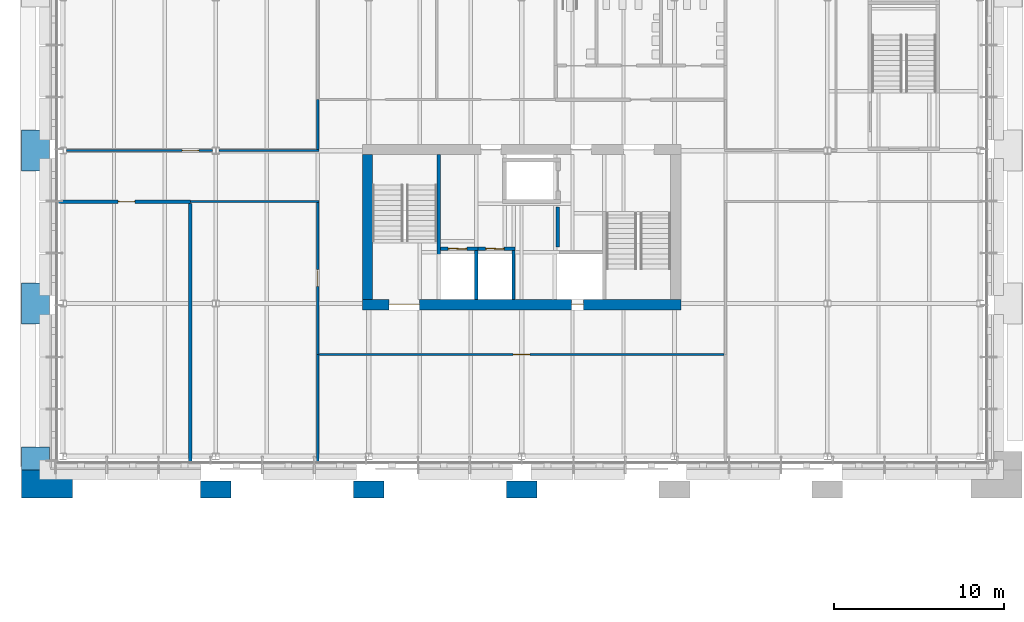
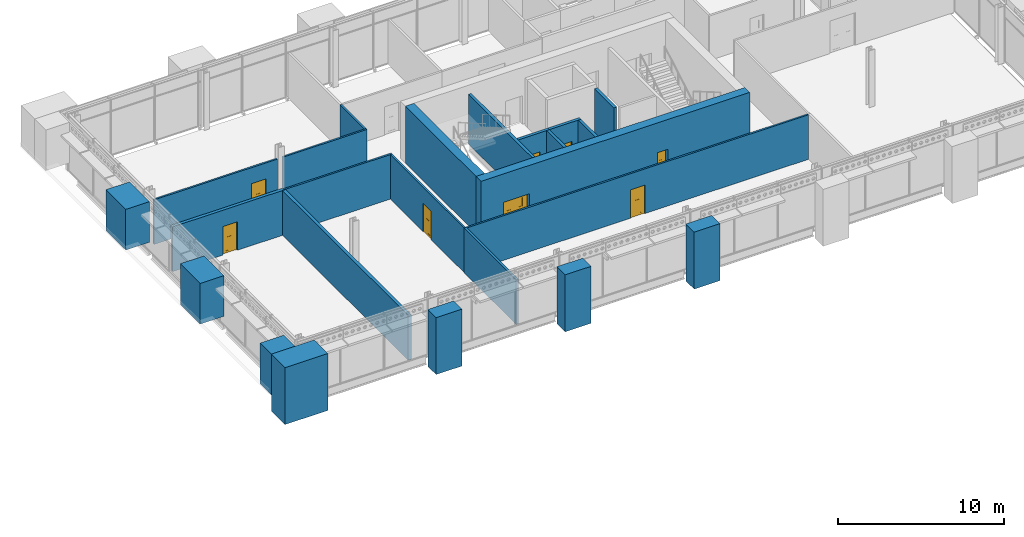
# One storey, part 107 of 153: 24 walls, 8 doors, 8 openings.
"""IFC4 building model written with IfcOpenShell, lengths in metres."""

from ifc_helpers import new_model, si_unit, direction, frame, frame_2d, origin, place, context, subcontext, project, spatial, polyline, rectangle, outline, extrude, material, layer, layer_set, type_object, element, fill, save


model = new_model("IFC4")

# Units and contexts
model_context = context("Model", 3, precision=1e-05, world=origin(), true_north=direction((0.0, 1.0)))
body_context = subcontext(model_context, "Body", "Model", "MODEL_VIEW")
ifc_project = project(units=[si_unit("LENGTHUNIT", "METRE"), si_unit("AREAUNIT", "SQUARE_METRE"), si_unit("VOLUMEUNIT", "CUBIC_METRE"), si_unit("PLANEANGLEUNIT", "RADIAN"), si_unit("MASSUNIT", "GRAM", prefix="KILO")], contexts=[model_context])

# Site, building, storey
site_placement = place(None, origin())
site = spatial("IfcSite", under=ifc_project, at=site_placement, CompositionType="ELEMENT")
building_placement = place(site_placement, origin())
building = spatial("IfcBuilding", under=site, at=building_placement, Name="Baradari Gate Terminus", CompositionType="ELEMENT")
storey_placement = place(building_placement, frame((0.0, 0.0, 11.699951171875)))
storey = spatial("IfcBuildingStorey", under=building, at=storey_placement, Name="L02", CompositionType="ELEMENT", Elevation=11.699951171875)

# Wall, opening, door
ifc_material_1 = material(Name="Gypsum board")
ifc_layer_1 = layer(ifc_material_1, 0.125)
ifc_layer_set_1 = layer_set([ifc_layer_1], Name="Gypsum board")
wall_type_1 = type_object("IfcWallType", Name="Corridor partition PT-5 125 EI 30", PredefinedType="PARTITIONING", material=ifc_layer_set_1)
wall_1_placement = place(storey_placement, frame((47.925048828125, 123.0, 0.0), z_axis=(0.0, 0.0, 1.0), x_axis=(-1.0, 0.0, 0.0)))
wall_1 = element("IfcWall", 1, at=wall_1_placement, inside=storey, type_object=wall_type_1, Name="PT-5 partition Corridor / Control Floor Gallery", PredefinedType="PARTITIONING", context=body_context, shape_type="SweptSolid", body=[
    extrude(rectangle(XDim=23.85009765625, YDim=0.125, at=frame_2d((11.925048828125, 0.0))), origin(), (0.0, 0.0, 1.0), 3.287109375),
])
opening_1_placement = place(wall_1_placement, frame((11.425048828125, 0.0, 0.0)))
opening_1 = element("IfcOpeningElement", 2, at=opening_1_placement, cuts=wall_1, Name="Opening D02-025", PredefinedType="OPENING", context=body_context, shape_type="SweptSolid", body=[
    extrude(rectangle(XDim=1.0, YDim=2.10009765625, at=frame_2d((0.5, 1.050048828125))), frame((0.0, 0.072509765625, 0.0), z_axis=(0.0, -1.0, 0.0), x_axis=(1.0, 0.0, 0.0)), (0.0, 0.0, 1.0), 0.14501953125),
])
ifc_material_2 = material(Name="Steel S275", Category="steel")
door_type_1 = type_object("IfcDoorType", Name="Fire door FI-1000-FD30S 1000x2100 FD30S", OperationType="SINGLE_SWING_LEFT", PredefinedType="DOOR", material=ifc_material_2)
door_1_placement = place(opening_1_placement, origin())
door_1 = element("IfcDoor", 3, at=door_1_placement, inside=storey, type_object=door_type_1, Name="Door Control Floor Gallery", OperationType="SINGLE_SWING_LEFT", OverallHeight=2.1, OverallWidth=1.0, PredefinedType="DOOR", context=body_context, shape_type="SweptSolid", body=[
    extrude(outline(polyline([(0.0, 0.0), (0.070068359375, 0.0), (0.070068359375, 2.030029296875), (0.929931640625, 2.030029296875), (0.929931640625, 0.0), (1.0, 0.0), (1.0, 2.10009765625), (0.0, 2.10009765625), (0.0, 0.0)])), frame((0.0, 0.02490234375, 0.0), z_axis=(0.0, -1.0, 0.0), x_axis=(1.0, 0.0, 0.0)), (0.0, 0.0, 1.0), 0.050048828125),
    extrude(outline(polyline([(0.073974609375, 0.010009765625), (0.926025390625, 0.010009765625), (0.926025390625, 2.026123046875), (0.073974609375, 2.026123046875), (0.073974609375, 0.010009765625)]), holes=[polyline([(0.194091796875, 0.159912109375), (0.805908203125, 0.159912109375), (0.805908203125, 1.010009765625), (0.194091796875, 1.010009765625), (0.194091796875, 0.159912109375)]), polyline([(0.35009765625, 1.159912109375), (0.64990234375, 1.159912109375), (0.64990234375, 1.760009765625), (0.35009765625, 1.760009765625), (0.35009765625, 1.159912109375)])]), frame((0.0, 0.017333984375, 0.0), z_axis=(0.0, -1.0, 0.0), x_axis=(1.0, 0.0, 0.0)), (0.0, 0.0, 1.0), 0.034912109375),
    extrude(rectangle(XDim=0.61181640625, YDim=0.85009765625, at=frame_2d((0.5, 0.5849609375))), frame((0.0, 0.008544921875, 0.0), z_axis=(0.0, -1.0, 0.0), x_axis=(1.0, 0.0, 0.0)), (0.0, 0.0, 1.0), 0.017333984375),
    extrude(rectangle(XDim=0.2998046875, YDim=0.60009765625, at=frame_2d((0.5, 1.4599609375))), frame((0.0, 0.005859375, 0.0), z_axis=(0.0, -1.0, 0.0), x_axis=(1.0, 0.0, 0.0)), (0.0, 0.0, 1.0), 0.011962890625),
])
fill(opening_1, door_1)

wall_2_placement = place(storey_placement, frame((24.0, 123.0, 0.0), z_axis=(0.0, 0.0, 1.0), x_axis=(0.0, 1.0, 0.0)))
wall_2 = element("IfcWall", 4, at=wall_2_placement, inside=storey, type_object=wall_type_1, Name="PT-5 partition Corridor / Dispatch Office", PredefinedType="PARTITIONING", context=body_context, shape_type="SweptSolid", body=[
    extrude(rectangle(XDim=8.9375, YDim=0.125, at=frame_2d((4.46875, 0.0))), origin(), (0.0, 0.0, 1.0), 3.287109375),
])
opening_2_placement = place(wall_2_placement, frame((4.0, 0.0, 0.0)))
opening_2 = element("IfcOpeningElement", 5, at=opening_2_placement, cuts=wall_2, Name="Opening D02-021", PredefinedType="OPENING", context=body_context, shape_type="SweptSolid", body=[
    extrude(rectangle(XDim=1.0, YDim=2.10009765625, at=frame_2d((0.5, 1.050048828125))), frame((0.0, 0.072509765625, 0.0), z_axis=(0.0, -1.0, 0.0), x_axis=(1.0, 0.0, 0.0)), (0.0, 0.0, 1.0), 0.14501953125),
])
door_2_placement = place(opening_2_placement, origin())
door_2 = element("IfcDoor", 6, at=door_2_placement, inside=storey, type_object=door_type_1, Name="Door Dispatch Office", OperationType="SINGLE_SWING_RIGHT", OverallHeight=2.1, OverallWidth=1.0, PredefinedType="DOOR", context=body_context, shape_type="SweptSolid", body=[
    extrude(outline(polyline([(0.0, 0.0), (0.070068359375, 0.0), (0.070068359375, 2.030029296875), (0.929931640625, 2.030029296875), (0.929931640625, 0.0), (1.0, 0.0), (1.0, 2.10009765625), (0.0, 2.10009765625), (0.0, 0.0)])), frame((0.0, 0.02490234375, 0.0), z_axis=(0.0, -1.0, 0.0), x_axis=(1.0, 0.0, 0.0)), (0.0, 0.0, 1.0), 0.050048828125),
    extrude(outline(polyline([(0.073974609375, 0.010009765625), (0.926025390625, 0.010009765625), (0.926025390625, 2.026123046875), (0.073974609375, 2.026123046875), (0.073974609375, 0.010009765625)]), holes=[polyline([(0.194091796875, 0.159912109375), (0.805908203125, 0.159912109375), (0.805908203125, 1.010009765625), (0.194091796875, 1.010009765625), (0.194091796875, 0.159912109375)]), polyline([(0.35009765625, 1.159912109375), (0.64990234375, 1.159912109375), (0.64990234375, 1.760009765625), (0.35009765625, 1.760009765625), (0.35009765625, 1.159912109375)])]), frame((0.0, 0.017333984375, 0.0), z_axis=(0.0, -1.0, 0.0), x_axis=(1.0, 0.0, 0.0)), (0.0, 0.0, 1.0), 0.034912109375),
    extrude(rectangle(XDim=0.61181640625, YDim=0.85009765625, at=frame_2d((0.5, 0.5849609375))), frame((0.0, 0.008544921875, 0.0), z_axis=(0.0, -1.0, 0.0), x_axis=(1.0, 0.0, 0.0)), (0.0, 0.0, 1.0), 0.017333984375),
    extrude(rectangle(XDim=0.2998046875, YDim=0.60009765625, at=frame_2d((0.5, 1.4599609375))), frame((0.0, 0.005859375, 0.0), z_axis=(0.0, -1.0, 0.0), x_axis=(1.0, 0.0, 0.0)), (0.0, 0.0, 1.0), 0.011962890625),
])
fill(opening_2, door_2)

# Wall
wall_3_placement = place(storey_placement, frame((24.0625, 132.0, 0.0), z_axis=(0.0, 0.0, 1.0), x_axis=(-1.0, 0.0, 0.0)))
element("IfcWall", 7, at=wall_3_placement, inside=storey, type_object=wall_type_1, Name="PT-5 partition Corridor / Dispatch Office", PredefinedType="PARTITIONING", context=body_context, shape_type="SweptSolid", body=[
    extrude(rectangle(XDim=7.5625, YDim=0.125, at=frame_2d((3.78125, 0.0))), origin(), (0.0, 0.0, 1.0), 3.287109375),
])

# Wall, opening, door
wall_4_placement = place(storey_placement, frame((9.197509765625, 135.0, 0.0), z_axis=(0.0, 0.0, 1.0), x_axis=(1.0, 0.0, 0.0)))
wall_4 = element("IfcWall", 8, at=wall_4_placement, inside=storey, type_object=wall_type_1, Name="PT-5 partition Corridor / Operations Control Room", PredefinedType="PARTITIONING", context=body_context, shape_type="SweptSolid", body=[
    extrude(rectangle(XDim=8.60107421875, YDim=0.125, at=frame_2d((4.300537109375, 0.0))), origin(), (0.0, 0.0, 1.0), 3.287109375),
])
opening_3_placement = place(wall_4_placement, frame((6.802490234375, 0.0, 0.0)))
opening_3 = element("IfcOpeningElement", 9, at=opening_3_placement, cuts=wall_4, Name="Opening D02-019", PredefinedType="OPENING", context=body_context, shape_type="SweptSolid", body=[
    extrude(rectangle(XDim=1.0, YDim=2.10009765625, at=frame_2d((0.5, 1.050048828125))), frame((0.0, 0.072509765625, 0.0), z_axis=(0.0, -1.0, 0.0), x_axis=(1.0, 0.0, 0.0)), (0.0, 0.0, 1.0), 0.14501953125),
])
door_3_placement = place(opening_3_placement, origin())
door_3 = element("IfcDoor", 10, at=door_3_placement, inside=storey, type_object=door_type_1, Name="Door Operations Control Room", OperationType="SINGLE_SWING_RIGHT", OverallHeight=2.1, OverallWidth=1.0, PredefinedType="DOOR", context=body_context, shape_type="SweptSolid", body=[
    extrude(outline(polyline([(0.0, 0.0), (0.070068359375, 0.0), (0.070068359375, 2.030029296875), (0.929931640625, 2.030029296875), (0.929931640625, 0.0), (1.0, 0.0), (1.0, 2.10009765625), (0.0, 2.10009765625), (0.0, 0.0)])), frame((0.0, 0.02490234375, 0.0), z_axis=(0.0, -1.0, 0.0), x_axis=(1.0, 0.0, 0.0)), (0.0, 0.0, 1.0), 0.050048828125),
    extrude(outline(polyline([(0.073974609375, 0.010009765625), (0.926025390625, 0.010009765625), (0.926025390625, 2.026123046875), (0.073974609375, 2.026123046875), (0.073974609375, 0.010009765625)]), holes=[polyline([(0.194091796875, 0.159912109375), (0.805908203125, 0.159912109375), (0.805908203125, 1.010009765625), (0.194091796875, 1.010009765625), (0.194091796875, 0.159912109375)]), polyline([(0.35009765625, 1.159912109375), (0.64990234375, 1.159912109375), (0.64990234375, 1.760009765625), (0.35009765625, 1.760009765625), (0.35009765625, 1.159912109375)])]), frame((0.0, 0.017333984375, 0.0), z_axis=(0.0, -1.0, 0.0), x_axis=(1.0, 0.0, 0.0)), (0.0, 0.0, 1.0), 0.034912109375),
    extrude(rectangle(XDim=0.61181640625, YDim=0.85009765625, at=frame_2d((0.5, 0.5849609375))), frame((0.0, 0.008544921875, 0.0), z_axis=(0.0, -1.0, 0.0), x_axis=(1.0, 0.0, 0.0)), (0.0, 0.0, 1.0), 0.017333984375),
    extrude(rectangle(XDim=0.2998046875, YDim=0.60009765625, at=frame_2d((0.5, 1.4599609375))), frame((0.0, 0.005859375, 0.0), z_axis=(0.0, -1.0, 0.0), x_axis=(1.0, 0.0, 0.0)), (0.0, 0.0, 1.0), 0.011962890625),
])
fill(opening_3, door_3)

# Walls
wall_5_placement = place(storey_placement, frame((18.201416015625, 135.0, 0.0), z_axis=(0.0, 0.0, 1.0), x_axis=(1.0, 0.0, 0.0)))
element("IfcWall", 11, at=wall_5_placement, inside=storey, type_object=wall_type_1, Name="PT-5 partition Corridor / Operations Control Room", PredefinedType="PARTITIONING", context=body_context, shape_type="SweptSolid", body=[
    extrude(rectangle(XDim=5.861083984375, YDim=0.125, at=frame_2d((2.9306640625, 0.0))), origin(), (0.0, 0.0, 1.0), 3.287109375),
])
wall_6_placement = place(storey_placement, frame((24.0, 135.0625, 0.0), z_axis=(0.0, 0.0, 1.0), x_axis=(0.0, 1.0, 0.0)))
element("IfcWall", 12, at=wall_6_placement, inside=storey, type_object=wall_type_1, Name="PT-5 partition Corridor / Operations Control Room", PredefinedType="PARTITIONING", context=body_context, shape_type="SweptSolid", body=[
    extrude(rectangle(XDim=2.9375, YDim=0.125, at=frame_2d((1.46875, 0.0))), origin(), (0.0, 0.0, 1.0), 3.287109375),
])

# Wall, opening, door
ifc_material_3 = material(Name="Blockwork wall, fire rated", Category="masonry")
ifc_layer_2 = layer(ifc_material_3, 0.199951171875)
ifc_layer_set_2 = layer_set([ifc_layer_2], Name="Blockwork wall, fire rated")
wall_type_2 = type_object("IfcWallType", Name="Lift shaft wall SH-1 200 EI 120", PredefinedType="SOLIDWALL", material=ifc_layer_set_2)
wall_7_placement = place(storey_placement, frame((31.22705078125, 129.22509765625, 0.0), z_axis=(0.0, 0.0, 1.0), x_axis=(1.0, 0.0, 0.0)))
wall_7 = element("IfcWall", 13, at=wall_7_placement, inside=storey, type_object=wall_type_2, Name="Lift shaft wall LT1 L02 N", PredefinedType="SOLIDWALL", context=body_context, shape_type="SweptSolid", body=[
    extrude(rectangle(XDim=2.197998046875, YDim=0.199951171875, at=frame_2d((1.09912109375, 0.0))), origin(), (0.0, 0.0, 1.0), 3.51611328125),
])
opening_4_placement = place(wall_7_placement, frame((0.447998046875, 0.0, 0.0)))
opening_4 = element("IfcOpeningElement", 14, at=opening_4_placement, cuts=wall_7, Name="Opening D02-005", PredefinedType="OPENING", context=body_context, shape_type="SweptSolid", body=[
    extrude(rectangle(XDim=1.10009765625, YDim=2.10009765625, at=frame_2d((0.550048828125, 1.050048828125))), frame((0.0, 0.10986328125, 0.0), z_axis=(0.0, -1.0, 0.0), x_axis=(1.0, 0.0, 0.0)), (0.0, 0.0, 1.0), 0.219970703125),
])
ifc_material_4 = material(Name="Stainless steel 1.4301", Category="steel")
door_type_2 = type_object("IfcDoorType", Name="Lift landing door LD 1100x2100 E 120", OperationType="SLIDING_TO_LEFT", PredefinedType="DOOR", material=ifc_material_4)
door_4_placement = place(opening_4_placement, origin())
door_4 = element("IfcDoor", 15, at=door_4_placement, inside=storey, type_object=door_type_2, Name="Lift landing door LT1 L02", OperationType="SLIDING_TO_LEFT", OverallHeight=2.1, OverallWidth=1.1, PredefinedType="DOOR", context=body_context, shape_type="SweptSolid", body=[
    extrude(outline(polyline([(0.0, 0.0), (0.070068359375, 0.0), (0.070068359375, 2.030029296875), (1.030029296875, 2.030029296875), (1.030029296875, 0.0), (1.10009765625, 0.0), (1.10009765625, 2.10009765625), (0.0, 2.10009765625), (0.0, 0.0)])), frame((0.0, 0.02490234375, 0.0), z_axis=(0.0, -1.0, 0.0), x_axis=(1.0, 0.0, 0.0)), (0.0, 0.0, 1.0), 0.050048828125),
    extrude(rectangle(XDim=0.523681640625, YDim=2.01611328125, at=frame_2d((0.3359375, 1.01806640625))), frame((0.0, 0.017822265625, 0.0), z_axis=(0.0, -1.0, 0.0), x_axis=(1.0, 0.0, 0.0)), (0.0, 0.0, 1.0), 0.015869140625),
    extrude(rectangle(XDim=0.519775390625, YDim=2.01611328125, at=frame_2d((0.76611328125, 1.01806640625))), frame((0.0, -0.002197265625, 0.0), z_axis=(0.0, -1.0, 0.0), x_axis=(1.0, 0.0, 0.0)), (0.0, 0.0, 1.0), 0.015869140625),
])
fill(opening_4, door_4)

# Wall
wall_8_placement = place(storey_placement, frame((33.324951171875, 126.22705078125, 0.0), z_axis=(0.0, 0.0, 1.0), x_axis=(0.0, 1.0, 0.0)))
element("IfcWall", 16, at=wall_8_placement, inside=storey, type_object=wall_type_2, Name="Lift shaft wall LT1 L02 E", PredefinedType="SOLIDWALL", context=body_context, shape_type="SweptSolid", body=[
    extrude(rectangle(XDim=2.89794921875, YDim=0.199951171875, at=frame_2d((1.448974609375, 0.0))), origin(), (0.0, 0.0, 1.0), 3.51611328125),
])

# Wall, opening, door
wall_9_placement = place(storey_placement, frame((33.427001953125, 129.22509765625, 0.0), z_axis=(0.0, 0.0, 1.0), x_axis=(1.0, 0.0, 0.0)))
wall_9 = element("IfcWall", 17, at=wall_9_placement, inside=storey, type_object=wall_type_2, Name="Lift shaft wall LT2 L02 N", PredefinedType="SOLIDWALL", context=body_context, shape_type="SweptSolid", body=[
    extrude(rectangle(XDim=2.197998046875, YDim=0.199951171875, at=frame_2d((1.09912109375, 0.0))), origin(), (0.0, 0.0, 1.0), 3.51611328125),
])
opening_5_placement = place(wall_9_placement, frame((0.447998046875, 0.0, 0.0)))
opening_5 = element("IfcOpeningElement", 18, at=opening_5_placement, cuts=wall_9, Name="Opening D02-006", PredefinedType="OPENING", context=body_context, shape_type="SweptSolid", body=[
    extrude(rectangle(XDim=1.10009765625, YDim=2.10009765625, at=frame_2d((0.550048828125, 1.050048828125))), frame((0.0, 0.10986328125, 0.0), z_axis=(0.0, -1.0, 0.0), x_axis=(1.0, 0.0, 0.0)), (0.0, 0.0, 1.0), 0.219970703125),
])
door_5_placement = place(opening_5_placement, origin())
door_5 = element("IfcDoor", 19, at=door_5_placement, inside=storey, type_object=door_type_2, Name="Lift landing door LT2 L02", OperationType="SLIDING_TO_LEFT", OverallHeight=2.1, OverallWidth=1.1, PredefinedType="DOOR", context=body_context, shape_type="SweptSolid", body=[
    extrude(outline(polyline([(0.0, 0.0), (0.070068359375, 0.0), (0.070068359375, 2.030029296875), (1.030029296875, 2.030029296875), (1.030029296875, 0.0), (1.10009765625, 0.0), (1.10009765625, 2.10009765625), (0.0, 2.10009765625), (0.0, 0.0)])), frame((0.0, 0.02490234375, 0.0), z_axis=(0.0, -1.0, 0.0), x_axis=(1.0, 0.0, 0.0)), (0.0, 0.0, 1.0), 0.050048828125),
    extrude(rectangle(XDim=0.523681640625, YDim=2.01611328125, at=frame_2d((0.3359375, 1.01806640625))), frame((0.0, 0.017822265625, 0.0), z_axis=(0.0, -1.0, 0.0), x_axis=(1.0, 0.0, 0.0)), (0.0, 0.0, 1.0), 0.015869140625),
    extrude(rectangle(XDim=0.519775390625, YDim=2.01611328125, at=frame_2d((0.76611328125, 1.01806640625))), frame((0.0, -0.002197265625, 0.0), z_axis=(0.0, -1.0, 0.0), x_axis=(1.0, 0.0, 0.0)), (0.0, 0.0, 1.0), 0.015869140625),
])
fill(opening_5, door_5)

# Walls
wall_10_placement = place(storey_placement, frame((35.52490234375, 126.22705078125, 0.0), z_axis=(0.0, 0.0, 1.0), x_axis=(0.0, 1.0, 0.0)))
element("IfcWall", 20, at=wall_10_placement, inside=storey, type_object=wall_type_2, Name="Lift shaft wall LT2 L02 E", PredefinedType="SOLIDWALL", context=body_context, shape_type="SweptSolid", body=[
    extrude(rectangle(XDim=2.89794921875, YDim=0.199951171875, at=frame_2d((1.448974609375, 0.0))), origin(), (0.0, 0.0, 1.0), 3.51611328125),
])
ifc_material_5 = material(Name="Blockwork wall, plastered, fire rated", Category="masonry")
ifc_layer_3 = layer(ifc_material_5, 0.199951171875)
ifc_layer_set_3 = layer_set([ifc_layer_3], Name="Blockwork wall, plastered, fire rated")
wall_type_3 = type_object("IfcWallType", Name="Lobby partition PT-4 200 EI 60", PredefinedType="PARTITIONING", material=ifc_layer_set_3)
wall_11_placement = place(storey_placement, frame((38.125, 131.675048828125, 0.0), z_axis=(0.0, 0.0, 1.0), x_axis=(0.0, -1.0, 0.0)))
element("IfcWall", 21, at=wall_11_placement, inside=storey, type_object=wall_type_3, Name="PT-4 partition Lift Lobby / Lift Lobby (Fire-fighting)", PredefinedType="PARTITIONING", context=body_context, shape_type="SweptSolid", body=[
    extrude(rectangle(XDim=2.35009765625, YDim=0.199951171875, at=frame_2d((1.175048828125, 0.0))), origin(), (0.0, 0.0, 1.0), 3.382080078125),
])

# Wall, openings, doors
ifc_material_6 = material(Name="Concrete C40/50", Category="concrete")
ifc_layer_4 = layer(ifc_material_6, 0.60009765625)
ifc_layer_set_4 = layer_set([ifc_layer_4], Name="Concrete C40/50")
wall_type_4 = type_object("IfcWallType", Name="Operations block core wall CWL01 600", PredefinedType="SOLIDWALL", material=ifc_layer_set_4)
wall_12_placement = place(storey_placement, frame((26.625, 125.925048828125, 0.0), z_axis=(0.0, 0.0, 1.0), x_axis=(1.0, 0.0, 0.0)))
wall_12 = element("IfcWall", 22, at=wall_12_placement, inside=storey, type_object=wall_type_4, Name="Operations block core wall CT S L02", PredefinedType="SOLIDWALL", context=body_context, shape_type="SweptSolid", body=[
    extrude(rectangle(XDim=18.75, YDim=0.60009765625, at=frame_2d((9.375, 0.0))), origin(), (0.0, 0.0, 1.0), 4.199951171875),
])
opening_6_placement = place(wall_12_placement, frame((1.574951171875, 0.0, 0.0)))
opening_6 = element("IfcOpeningElement", 23, at=opening_6_placement, cuts=wall_12, Name="Opening D02-008", PredefinedType="OPENING", context=body_context, shape_type="SweptSolid", body=[
    extrude(rectangle(XDim=1.800048828125, YDim=2.10009765625, at=frame_2d((0.89990234375, 1.050048828125))), frame((0.0, 0.31005859375, 0.0), z_axis=(0.0, -1.0, 0.0), x_axis=(1.0, 0.0, 0.0)), (0.0, 0.0, 1.0), 0.6201171875),
])
opening_7_placement = place(wall_12_placement, frame((12.324951171875, 0.0, 0.0)))
opening_7 = element("IfcOpeningElement", 24, at=opening_7_placement, cuts=wall_12, Name="Opening D02-012", PredefinedType="OPENING", context=body_context, shape_type="SweptSolid", body=[
    extrude(rectangle(XDim=0.699951171875, YDim=2.0, at=frame_2d((0.35009765625, 1.0))), frame((0.0, 0.31005859375, 0.0), z_axis=(0.0, -1.0, 0.0), x_axis=(1.0, 0.0, 0.0)), (0.0, 0.0, 1.0), 0.6201171875),
])
ifc_material_7 = material(Name="Steel S275", Category="steel")
door_type_3 = type_object("IfcDoorType", Name="Fire door FI-1800-FD90S 1800x2100 FD90S", OperationType="DOUBLE_DOOR_SINGLE_SWING", PredefinedType="DOOR", material=ifc_material_7)
door_6_placement = place(opening_6_placement, origin())
door_6 = element("IfcDoor", 25, at=door_6_placement, inside=storey, type_object=door_type_3, Name="Door Stair (Core) 1", OperationType="DOUBLE_DOOR_SINGLE_SWING", OverallHeight=2.1, OverallWidth=1.8, PredefinedType="DOOR", context=body_context, shape_type="SweptSolid", body=[
    extrude(outline(polyline([(0.0, 0.0), (0.070068359375, 0.0), (0.070068359375, 2.030029296875), (1.72998046875, 2.030029296875), (1.72998046875, 0.0), (1.800048828125, 0.0), (1.800048828125, 2.10009765625), (0.0, 2.10009765625), (0.0, 0.0)])), frame((0.0, 0.02490234375, 0.0), z_axis=(0.0, -1.0, 0.0), x_axis=(1.0, 0.0, 0.0)), (0.0, 0.0, 1.0), 0.050048828125),
    extrude(outline(polyline([(0.073974609375, 0.010009765625), (0.89697265625, 0.010009765625), (0.89697265625, 2.026123046875), (0.073974609375, 2.026123046875), (0.073974609375, 0.010009765625)]), holes=[polyline([(0.194091796875, 0.159912109375), (0.77685546875, 0.159912109375), (0.77685546875, 1.010009765625), (0.194091796875, 1.010009765625), (0.194091796875, 0.159912109375)]), polyline([(0.33544921875, 1.159912109375), (0.635498046875, 1.159912109375), (0.635498046875, 1.760009765625), (0.33544921875, 1.760009765625), (0.33544921875, 1.159912109375)])]), frame((0.0, 0.017333984375, 0.0), z_axis=(0.0, -1.0, 0.0), x_axis=(1.0, 0.0, 0.0)), (0.0, 0.0, 1.0), 0.034912109375),
    extrude(rectangle(XDim=0.582763671875, YDim=0.85009765625, at=frame_2d((0.4853515625, 0.5849609375))), frame((0.0, 0.008544921875, 0.0), z_axis=(0.0, -1.0, 0.0), x_axis=(1.0, 0.0, 0.0)), (0.0, 0.0, 1.0), 0.017333984375),
    extrude(rectangle(XDim=0.300048828125, YDim=0.60009765625, at=frame_2d((0.4853515625, 1.4599609375))), frame((0.0, 0.005859375, 0.0), z_axis=(0.0, -1.0, 0.0), x_axis=(1.0, 0.0, 0.0)), (0.0, 0.0, 1.0), 0.011962890625),
    extrude(outline(polyline([(0.903076171875, 0.010009765625), (1.72607421875, 0.010009765625), (1.72607421875, 2.026123046875), (0.903076171875, 2.026123046875), (0.903076171875, 0.010009765625)]), holes=[polyline([(1.023193359375, 0.159912109375), (1.60595703125, 0.159912109375), (1.60595703125, 1.010009765625), (1.023193359375, 1.010009765625), (1.023193359375, 0.159912109375)]), polyline([(1.16455078125, 1.159912109375), (1.464599609375, 1.159912109375), (1.464599609375, 1.760009765625), (1.16455078125, 1.760009765625), (1.16455078125, 1.159912109375)])]), frame((0.0, 0.017333984375, 0.0), z_axis=(0.0, -1.0, 0.0), x_axis=(1.0, 0.0, 0.0)), (0.0, 0.0, 1.0), 0.034912109375),
    extrude(rectangle(XDim=0.582763671875, YDim=0.85009765625, at=frame_2d((1.314453125, 0.5849609375))), frame((0.0, 0.008544921875, 0.0), z_axis=(0.0, -1.0, 0.0), x_axis=(1.0, 0.0, 0.0)), (0.0, 0.0, 1.0), 0.017333984375),
    extrude(rectangle(XDim=0.300048828125, YDim=0.60009765625, at=frame_2d((1.314453125, 1.4599609375))), frame((0.0, 0.005859375, 0.0), z_axis=(0.0, -1.0, 0.0), x_axis=(1.0, 0.0, 0.0)), (0.0, 0.0, 1.0), 0.011962890625),
])
fill(opening_6, door_6)
ifc_material_8 = material(Name="Steel S275", Category="steel")
door_type_4 = type_object("IfcDoorType", Name="Fire door FI-700x2000-FD90S 700x2000 FD90S", OperationType="SINGLE_SWING_LEFT", PredefinedType="DOOR", material=ifc_material_8)
door_7_placement = place(opening_7_placement, origin())
door_7 = element("IfcDoor", 26, at=door_7_placement, inside=storey, type_object=door_type_4, Name="Door Riser", OperationType="SINGLE_SWING_RIGHT", OverallHeight=2.0, OverallWidth=0.7, PredefinedType="DOOR", context=body_context, shape_type="SweptSolid", body=[
    extrude(outline(polyline([(0.0, 0.0), (0.070068359375, 0.0), (0.070068359375, 1.929931640625), (0.6298828125, 1.929931640625), (0.6298828125, 0.0), (0.699951171875, 0.0), (0.699951171875, 2.0), (0.0, 2.0), (0.0, 0.0)])), frame((0.0, 0.02490234375, 0.0), z_axis=(0.0, -1.0, 0.0), x_axis=(1.0, 0.0, 0.0)), (0.0, 0.0, 1.0), 0.050048828125),
    extrude(outline(polyline([(0.073974609375, 0.010009765625), (0.6259765625, 0.010009765625), (0.6259765625, 1.926025390625), (0.073974609375, 1.926025390625), (0.073974609375, 0.010009765625)]), holes=[polyline([(0.184326171875, 0.159912109375), (0.515625, 0.159912109375), (0.515625, 1.010009765625), (0.184326171875, 1.010009765625), (0.184326171875, 0.159912109375)]), polyline([(0.199951171875, 1.159912109375), (0.5, 1.159912109375), (0.5, 1.760009765625), (0.199951171875, 1.760009765625), (0.199951171875, 1.159912109375)])]), frame((0.0, 0.017333984375, 0.0), z_axis=(0.0, -1.0, 0.0), x_axis=(1.0, 0.0, 0.0)), (0.0, 0.0, 1.0), 0.034912109375),
    extrude(rectangle(XDim=0.331298828125, YDim=0.85009765625, at=frame_2d((0.35009765625, 0.5849609375))), frame((0.0, 0.008544921875, 0.0), z_axis=(0.0, -1.0, 0.0), x_axis=(1.0, 0.0, 0.0)), (0.0, 0.0, 1.0), 0.017333984375),
    extrude(rectangle(XDim=0.300048828125, YDim=0.60009765625, at=frame_2d((0.35009765625, 1.4599609375))), frame((0.0, 0.005859375, 0.0), z_axis=(0.0, -1.0, 0.0), x_axis=(1.0, 0.0, 0.0)), (0.0, 0.0, 1.0), 0.011962890625),
])
fill(opening_7, door_7)

# Walls
wall_13_placement = place(storey_placement, frame((26.925048828125, 126.22509765625, 0.0), z_axis=(0.0, 0.0, 1.0), x_axis=(0.0, 1.0, 0.0)))
element("IfcWall", 27, at=wall_13_placement, inside=storey, type_object=wall_type_4, Name="Operations block core wall CT W L02", PredefinedType="SOLIDWALL", context=body_context, shape_type="SweptSolid", body=[
    extrude(rectangle(XDim=8.5498046875, YDim=0.60009765625, at=frame_2d((4.27490234375, 0.0))), origin(), (0.0, 0.0, 1.0), 4.199951171875),
])
ifc_material_9 = material(Name="Blockwork wall, plastered", Category="masonry")
ifc_layer_5 = layer(ifc_material_9, 0.14990234375)
ifc_layer_set_5 = layer_set([ifc_layer_5], Name="Blockwork wall, plastered")
wall_type_5 = type_object("IfcWallType", Name="Partition PT-2 150 EI 60", PredefinedType="PARTITIONING", material=ifc_layer_set_5)
wall_14_placement = place(storey_placement, frame((24.0, 123.0, 0.0), z_axis=(0.0, 0.0, 1.0), x_axis=(0.0, -1.0, 0.0)))
element("IfcWall", 28, at=wall_14_placement, inside=storey, type_object=wall_type_5, Name="PT-2 partition Dispatch Office / Control Floor Gallery", PredefinedType="PARTITIONING", context=body_context, shape_type="SweptSolid", body=[
    extrude(rectangle(XDim=6.294921875, YDim=0.14990234375, at=frame_2d((3.1474609375, 0.0))), origin(), (0.0, 0.0, 1.0), 3.30712890625),
])

# Wall, opening, door
ifc_material_10 = material(Name="Dense blockwork wall, plastered, acoustic", Category="masonry")
ifc_layer_6 = layer(ifc_material_10, 0.215087890625)
ifc_layer_set_6 = layer_set([ifc_layer_6], Name="Dense blockwork wall, plastered, acoustic")
wall_type_6 = type_object("IfcWallType", Name="Plant room wall PT-7 215 EI 60", PredefinedType="PARTITIONING", material=ifc_layer_set_6)
wall_15_placement = place(storey_placement, frame((16.5, 132.0, 0.0), z_axis=(0.0, 0.0, 1.0), x_axis=(-1.0, 0.0, 0.0)))
wall_15 = element("IfcWall", 29, at=wall_15_placement, inside=storey, type_object=wall_type_6, Name="PT-7 partition Corridor / Signalling Equipment Room", PredefinedType="PARTITIONING", context=body_context, shape_type="SweptSolid", body=[
    extrude(rectangle(XDim=7.77001953125, YDim=0.215087890625, at=frame_2d((3.885009765625, 0.0))), origin(), (0.0, 0.0, 1.0), 3.30712890625),
])
opening_8_placement = place(wall_15_placement, frame((3.25, 0.0, 0.0)))
opening_8 = element("IfcOpeningElement", 30, at=opening_8_placement, cuts=wall_15, Name="Opening D02-020", PredefinedType="OPENING", context=body_context, shape_type="SweptSolid", body=[
    extrude(rectangle(XDim=1.0, YDim=2.10009765625, at=frame_2d((0.5, 1.050048828125))), frame((0.0, 0.117431640625, 0.0), z_axis=(0.0, -1.0, 0.0), x_axis=(1.0, 0.0, 0.0)), (0.0, 0.0, 1.0), 0.235107421875),
])
ifc_material_11 = material(Name="Steel S275", Category="steel")
door_type_5 = type_object("IfcDoorType", Name="Fire door FI-1000-FD60S 1000x2100 FD60S", OperationType="SINGLE_SWING_LEFT", PredefinedType="DOOR", material=ifc_material_11)
door_8_placement = place(opening_8_placement, origin())
door_8 = element("IfcDoor", 31, at=door_8_placement, inside=storey, type_object=door_type_5, Name="Door Signalling Equipment Room", OperationType="SINGLE_SWING_LEFT", OverallHeight=2.1, OverallWidth=1.0, PredefinedType="DOOR", context=body_context, shape_type="SweptSolid", body=[
    extrude(outline(polyline([(0.0, 0.0), (0.070068359375, 0.0), (0.070068359375, 2.030029296875), (0.929931640625, 2.030029296875), (0.929931640625, 0.0), (1.0, 0.0), (1.0, 2.10009765625), (0.0, 2.10009765625), (0.0, 0.0)])), frame((0.0, 0.02490234375, 0.0), z_axis=(0.0, -1.0, 0.0), x_axis=(1.0, 0.0, 0.0)), (0.0, 0.0, 1.0), 0.050048828125),
    extrude(outline(polyline([(0.073974609375, 0.010009765625), (0.926025390625, 0.010009765625), (0.926025390625, 2.026123046875), (0.073974609375, 2.026123046875), (0.073974609375, 0.010009765625)]), holes=[polyline([(0.194091796875, 0.159912109375), (0.805908203125, 0.159912109375), (0.805908203125, 1.010009765625), (0.194091796875, 1.010009765625), (0.194091796875, 0.159912109375)]), polyline([(0.35009765625, 1.159912109375), (0.64990234375, 1.159912109375), (0.64990234375, 1.760009765625), (0.35009765625, 1.760009765625), (0.35009765625, 1.159912109375)])]), frame((0.0, 0.017333984375, 0.0), z_axis=(0.0, -1.0, 0.0), x_axis=(1.0, 0.0, 0.0)), (0.0, 0.0, 1.0), 0.034912109375),
    extrude(rectangle(XDim=0.61181640625, YDim=0.85009765625, at=frame_2d((0.5, 0.5849609375))), frame((0.0, 0.008544921875, 0.0), z_axis=(0.0, -1.0, 0.0), x_axis=(1.0, 0.0, 0.0)), (0.0, 0.0, 1.0), 0.017333984375),
    extrude(rectangle(XDim=0.2998046875, YDim=0.60009765625, at=frame_2d((0.5, 1.4599609375))), frame((0.0, 0.005859375, 0.0), z_axis=(0.0, -1.0, 0.0), x_axis=(1.0, 0.0, 0.0)), (0.0, 0.0, 1.0), 0.011962890625),
])
fill(opening_8, door_8)

# Walls
wall_16_placement = place(storey_placement, frame((16.5, 131.892578125, 0.0), z_axis=(0.0, 0.0, 1.0), x_axis=(0.0, -1.0, 0.0)))
element("IfcWall", 32, at=wall_16_placement, inside=storey, type_object=wall_type_6, Name="PT-7 partition Signalling Equipment Room / Dispatch Office", PredefinedType="PARTITIONING", context=body_context, shape_type="SweptSolid", body=[
    extrude(rectangle(XDim=15.1875, YDim=0.215087890625, at=frame_2d((7.59375, 0.0))), origin(), (0.0, 0.0, 1.0), 3.30712890625),
])
ifc_material_12 = material(Name="Concrete C40/50 precast", Category="concrete")
ifc_layer_7 = layer(ifc_material_12, 1.55)
ifc_material_13 = material(Name="Sandstone cladding", Category="masonry")
ifc_layer_8 = layer(ifc_material_13, 0.1)
ifc_layer_set_7 = layer_set([ifc_layer_7, ifc_layer_8], Name="Concrete C40/50 precast")
wall_type_7 = type_object("IfcWallType", Name="Sandstone-faced precast frame pier WQ-4 1650", PredefinedType="SOLIDWALL", material=ifc_layer_set_7)
for number, where, z_axis, x_axis, name in (
    (33, (7.3798828125, 124.800048828125, 1.199951171875), (0.0, 0.0, 1.0), (0.0, 1.0, 0.0), "Frame pier W face bay 1 a L02"),
    (34, (7.3798828125, 133.800048828125, 1.199951171875), (0.0, 0.0, 1.0), (0.0, 1.0, 0.0), "Frame pier W face bay 1 b L02"),
):
    element("IfcWall", number, at=place(storey_placement, frame(where, z_axis=z_axis, x_axis=x_axis)), inside=storey, type_object=wall_type_7, Name=name, PredefinedType="SOLIDWALL", context=body_context, shape_type="SweptSolid", body=[
        extrude(rectangle(XDim=2.39990234375, YDim=1.64990234375, at=frame_2d((1.199951171875, 0.0))), origin(), (0.0, 0.0, 1.0), 3.0),
    ])
wall_17_placement = place(storey_placement, frame((6.554931640625, 115.3798828125, 0.0), z_axis=(0.0, 0.0, 1.0), x_axis=(1.0, 0.0, 0.0)))
element("IfcWall", 35, at=wall_17_placement, inside=storey, type_object=wall_type_7, Name="Corner pilaster SW leg A L02", PredefinedType="SOLIDWALL", context=body_context, shape_type="SweptSolid", body=[
    extrude(rectangle(XDim=3.0, YDim=1.64990234375, at=frame_2d((1.5, 0.0))), origin(), (0.0, 0.0, 1.0), 4.199951171875),
])
wall_18_placement = place(storey_placement, frame((7.3798828125, 116.205078125, 1.199951171875), z_axis=(0.0, 0.0, 1.0), x_axis=(0.0, 1.0, 0.0)))
element("IfcWall", 36, at=wall_18_placement, inside=storey, type_object=wall_type_7, Name="Corner pilaster SW leg B L02", PredefinedType="SOLIDWALL", context=body_context, shape_type="SweptSolid", body=[
    extrude(rectangle(XDim=1.349853515625, YDim=1.64990234375, at=frame_2d((0.6748046875, 0.0))), origin(), (0.0, 0.0, 1.0), 3.0),
])
ifc_layer_9 = layer(ifc_material_12, 0.9)
ifc_layer_10 = layer(ifc_material_13, 0.1)
ifc_layer_set_8 = layer_set([ifc_layer_9, ifc_layer_10], Name="Concrete C40/50 precast")
wall_type_8 = type_object("IfcWallType", Name="Sandstone-faced precast grid pier WQ-6 1000", PredefinedType="SOLIDWALL", material=ifc_layer_set_8)
for number, where, z_axis, x_axis, name in (
    (37, (17.10009765625, 115.054931640625, 0.0), (0.0, 0.0, 1.0), (1.0, 0.0, 0.0), "Frame pier S face bay 1 a L02"),
    (38, (26.10009765625, 115.054931640625, 0.0), (0.0, 0.0, 1.0), (1.0, 0.0, 0.0), "Frame pier S face bay 1 b L02"),
    (39, (35.10009765625, 115.054931640625, 0.0), (0.0, 0.0, 1.0), (1.0, 0.0, 0.0), "Grid pier S face grid 36 L02"),
):
    element("IfcWall", number, at=place(storey_placement, frame(where, z_axis=z_axis, x_axis=x_axis)), inside=storey, type_object=wall_type_8, Name=name, PredefinedType="SOLIDWALL", context=body_context, shape_type="SweptSolid", body=[
        extrude(rectangle(XDim=1.7998046875, YDim=1.0, at=frame_2d((0.89990234375, 0.0))), origin(), (0.0, 0.0, 1.0), 4.199951171875),
    ])
ifc_material_14 = material(Name="Concrete C40/50", Category="concrete")
ifc_layer_11 = layer(ifc_material_14, 0.199951171875)
ifc_layer_set_9 = layer_set([ifc_layer_11], Name="Concrete C40/50")
wall_type_9 = type_object("IfcWallType", Name="Stair enclosure wall SE-1 200 EI 120", PredefinedType="SOLIDWALL", material=ifc_layer_set_9)
wall_19_placement = place(storey_placement, frame((31.125, 126.22705078125, -0.1298828125), z_axis=(0.0, 0.0, 1.0), x_axis=(0.0, 1.0, 0.0)))
element("IfcWall", 40, at=wall_19_placement, inside=storey, type_object=wall_type_9, Name="Stair enclosure wall SE-1 ST-T1 L02 E", PredefinedType="SOLIDWALL", context=body_context, shape_type="SweptSolid", body=[
    extrude(rectangle(XDim=8.5458984375, YDim=0.199951171875, at=frame_2d((4.27294921875, 0.0))), origin(), (0.0, 0.0, 1.0), 3.666015625),
])

save(model, "model.ifc")
